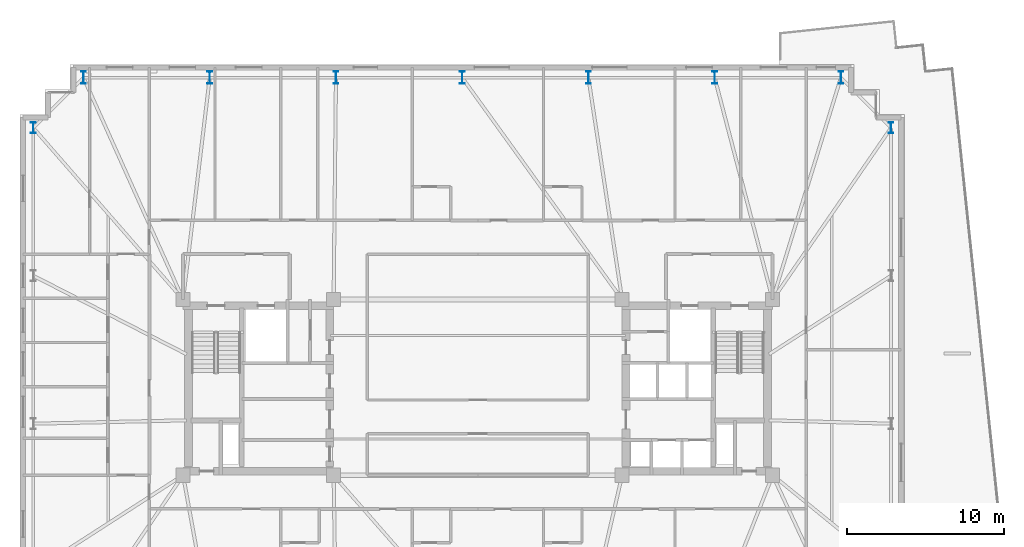
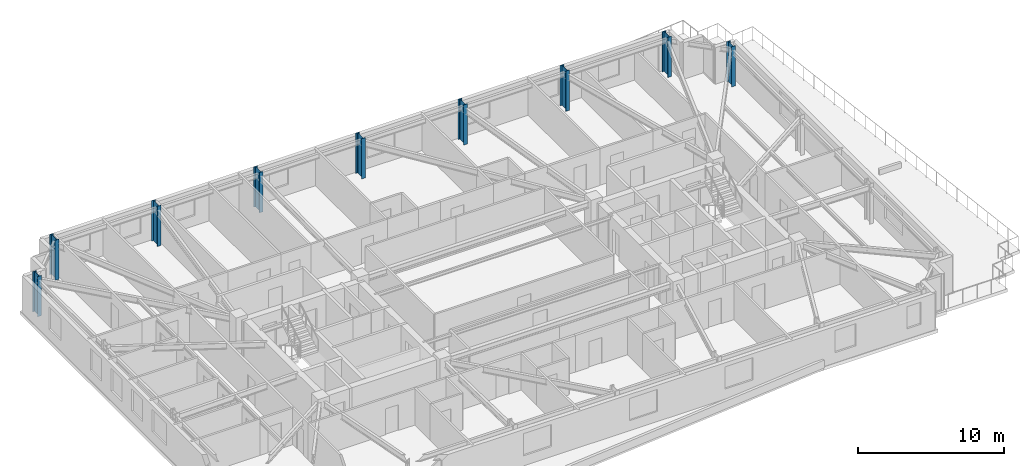
# One storey, part 2 of 19: 9 columns.
"""IFC4 building model written with IfcOpenShell, lengths in metres."""

from ifc_helpers import new_model, si_unit, direction, frame, origin, origin_2d, place, context, subcontext, project, spatial, i_section, extrude, material, material_profile, profile_set, type_object, element, save


model = new_model("IFC4")

# Units and contexts
model_context = context("Model", 3, precision=1e-05, world=origin(), true_north=direction((0.0, 1.0)))
body_context = subcontext(model_context, "Body", "Model", "MODEL_VIEW")
ifc_project = project(units=[si_unit("LENGTHUNIT", "METRE"), si_unit("AREAUNIT", "SQUARE_METRE"), si_unit("VOLUMEUNIT", "CUBIC_METRE"), si_unit("PLANEANGLEUNIT", "RADIAN"), si_unit("MASSUNIT", "GRAM", prefix="KILO")], contexts=[model_context])

# Site, building, storey
site_placement = place(None, origin())
site = spatial("IfcSite", under=ifc_project, at=site_placement, CompositionType="ELEMENT")
building_placement = place(site_placement, origin())
building = spatial("IfcBuilding", under=site, at=building_placement, Name="Qobustan Lattice House", CompositionType="ELEMENT")
storey_placement = place(building_placement, frame((0.0, 0.0, 131.0)))
storey = spatial("IfcBuildingStorey", under=building, at=storey_placement, Name="L36", CompositionType="ELEMENT", Elevation=131.0)

# Columns
ifc_material_1 = material(Name="Steel S355", Category="steel")
ifc_material_profile_1 = material_profile(ifc_material_1, i_section(OverallWidth=0.300048828125, OverallDepth=0.699951171875, WebThickness=0.01708984375, FlangeThickness=0.031982421875, FilletRadius=0.027099609375, at=origin_2d()), Name="HEB700")
ifc_profile_set_1 = profile_set([ifc_material_profile_1], Name="Steel S355")
column_type_1 = type_object("IfcColumnType", Name="COL-ST-HEB700", PredefinedType="COLUMN", material=ifc_profile_set_1)
for number, where, z_axis, x_axis, name in (
    (1, (26.35009765625, 16.550048828125, 0.0), (0.0, 0.0, 1.0), (1.0, 0.0, 0.0), "L36 B3 perimeter column E4"),
    (2, (-28.35009765625, 16.550048828125, 0.0), (0.0, 0.0, 1.0), (1.0, 0.0, 0.0), "L36 B3 perimeter column W1"),
):
    element("IfcColumn", number, at=place(storey_placement, frame(where, z_axis=z_axis, x_axis=x_axis)), inside=storey, type_object=column_type_1, Name=name, PredefinedType="COLUMN", context=body_context, shape_type="SweptSolid", body=[
        extrude(i_section(OverallWidth=0.300048828125, OverallDepth=0.699951171875, WebThickness=0.01708984375, FlangeThickness=0.031982421875, FilletRadius=0.027099609375, at=origin_2d()), origin(), (0.0, 0.0, 1.0), 3.35009765625),
    ])
ifc_material_2 = material(Name="Steel S355", Category="steel")
ifc_material_profile_2 = material_profile(ifc_material_2, i_section(OverallWidth=0.300048828125, OverallDepth=0.800048828125, WebThickness=0.017578125, FlangeThickness=0.032958984375, FilletRadius=0.030029296875, at=origin_2d()), Name="HEB800")
ifc_profile_set_2 = profile_set([ifc_material_profile_2], Name="Steel S355")
column_type_2 = type_object("IfcColumnType", Name="COL-ST-HEB800", PredefinedType="COLUMN", material=ifc_profile_set_2)
for number, where, z_axis, x_axis, name in (
    (3, (23.14990234375, 19.75, 0.0), (0.0, 0.0, 1.0), (1.0, 0.0, 0.0), "L36 B3 perimeter column N1"),
    (4, (15.10009765625, 19.75, 0.0), (0.0, 0.0, 1.0), (1.0, 0.0, 0.0), "L36 B3 perimeter column N2"),
    (5, (7.050048828125, 19.75, 0.0), (0.0, 0.0, 1.0), (1.0, 0.0, 0.0), "L36 B3 perimeter column N3"),
    (6, (-1.0, 19.75, 0.0), (0.0, 0.0, 1.0), (1.0, 0.0, 0.0), "L36 B3 perimeter column N4"),
    (7, (-9.050048828125, 19.75, 0.0), (0.0, 0.0, 1.0), (1.0, 0.0, 0.0), "L36 B3 perimeter column N5"),
    (8, (-17.10009765625, 19.75, 0.0), (0.0, 0.0, 1.0), (1.0, 0.0, 0.0), "L36 B3 perimeter column N6"),
    (9, (-25.14990234375, 19.75, 0.0), (0.0, 0.0, 1.0), (1.0, 0.0, 0.0), "L36 B3 perimeter column N7"),
):
    element("IfcColumn", number, at=place(storey_placement, frame(where, z_axis=z_axis, x_axis=x_axis)), inside=storey, type_object=column_type_2, Name=name, PredefinedType="COLUMN", context=body_context, shape_type="SweptSolid", body=[
        extrude(i_section(OverallWidth=0.300048828125, OverallDepth=0.800048828125, WebThickness=0.017578125, FlangeThickness=0.032958984375, FilletRadius=0.030029296875, at=origin_2d()), origin(), (0.0, 0.0, 1.0), 3.35009765625),
    ])

save(model, "model.ifc")
